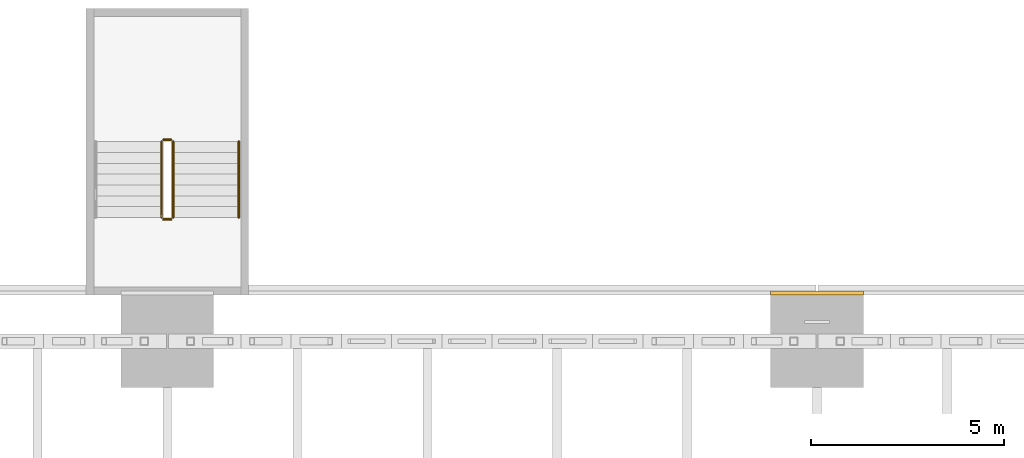
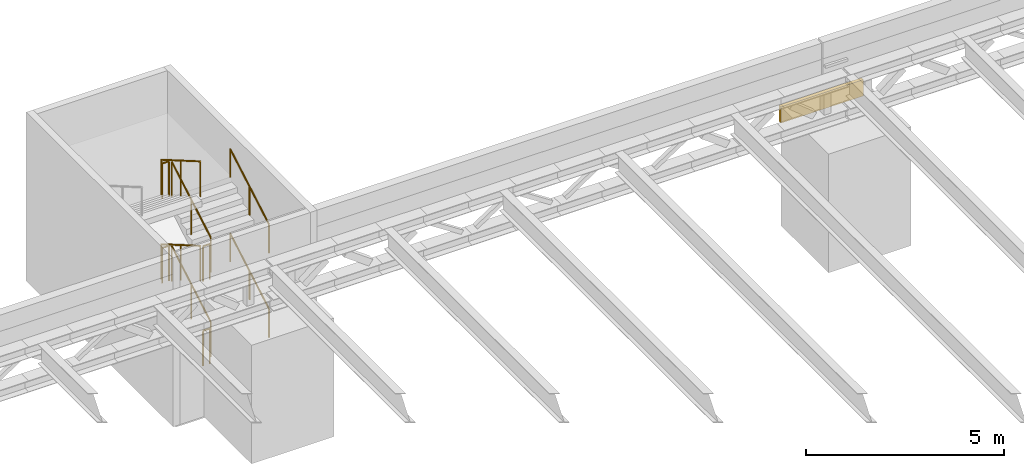
# One storey, part 84 of 93: 10 railings, 1 covering.
"""IFC4 building model written with IfcOpenShell, lengths in metres."""

from ifc_helpers import new_model, si_unit, direction, frame, origin, origin_2d, place, context, subcontext, project, spatial, rectangle, circle, extrude, material, layer, layer_set, type_object, element, save


model = new_model("IFC4")

# Units and contexts
model_context = context("Model", 3, precision=1e-05, world=origin(), true_north=direction((0.0, 1.0)))
body_context = subcontext(model_context, "Body", "Model", "MODEL_VIEW")
ifc_project = project(units=[si_unit("LENGTHUNIT", "METRE"), si_unit("AREAUNIT", "SQUARE_METRE"), si_unit("VOLUMEUNIT", "CUBIC_METRE"), si_unit("PLANEANGLEUNIT", "RADIAN"), si_unit("MASSUNIT", "GRAM", prefix="KILO")], contexts=[model_context])

# Site, building, storey
site_placement = place(None, origin())
site = spatial("IfcSite", under=ifc_project, at=site_placement, CompositionType="ELEMENT")
building_placement = place(site_placement, origin())
building = spatial("IfcBuilding", under=site, at=building_placement, Name="Verrick Yard Athletic Hall", CompositionType="ELEMENT")
storey_placement = place(building_placement, frame((0.0, 0.0, 8.800048828125)))
storey = spatial("IfcBuildingStorey", under=building, at=storey_placement, Name="L02", CompositionType="ELEMENT", Elevation=8.800048828125)

# Covering
ifc_material_1 = material(Name="Limestone cladding", Category="masonry")
ifc_layer = layer(ifc_material_1, 0.10009765625)
ifc_layer_set = layer_set([ifc_layer], Name="Impost and capital moulding")
covering_type = type_object("IfcCoveringType", Name="Impost and capital moulding", PredefinedType="MOLDING", material=ifc_layer_set)
covering_placement = place(storey_placement, frame((124.0, 54.050048828125, 3.14990234375), z_axis=(0.0, 0.0, 1.0), x_axis=(1.0, 0.0, 0.0)))
element("IfcCovering", 1, at=covering_placement, inside=storey, type_object=covering_type, Name="Capital N6", PredefinedType="MOLDING", context=body_context, shape_type="SweptSolid", body=[
    extrude(rectangle(XDim=2.39990234375, YDim=0.10009765625, at=origin_2d()), origin(), (0.0, 0.0, 1.0), 0.5),
])

# Railings
ifc_material_2 = material(Name="Stainless steel", Category="steel")
railing_type_1 = type_object("IfcRailingType", Name="Stair and core guard 1100", PredefinedType="GUARDRAIL", material=ifc_material_2)
railing_1_placement = place(storey_placement, frame((107.35009765625, 56.0, 0.162353515625)))
element("IfcRailing", 2, at=railing_1_placement, inside=storey, type_object=railing_type_1, Name="L02 North deck escape 2 stair guard 1", PredefinedType="GUARDRAIL", context=body_context, shape_type="SweptSolid", body=[
    extrude(circle(Radius=0.02392578125, at=origin_2d()), frame((0.0, 0.0, 1.076171875), z_axis=(0.0, 0.864855337533, 0.502021160053), x_axis=(-1.0, 0.0, 0.0)), (0.0, 0.0, 1.0), 2.26611328125),
    extrude(circle(Radius=0.02099609375, at=origin_2d()), origin(), (0.0, 0.0, 1.0), 1.052001953125),
    extrude(circle(Radius=0.02099609375, at=origin_2d()), frame((0.0, 0.97998046875, 0.56884765625)), (0.0, 0.0, 1.0), 1.052001953125),
    extrude(circle(Radius=0.02099609375, at=origin_2d()), frame((0.0, 1.9599609375, 1.1376953125)), (0.0, 0.0, 1.0), 1.052001953125),
])
railing_2_placement = place(storey_placement, frame((107.300048828125, 58.010009765625, 1.300048828125)))
element("IfcRailing", 3, at=railing_2_placement, inside=storey, type_object=railing_type_1, Name="L02 North deck escape 2 stair guard 2", PredefinedType="GUARDRAIL", context=body_context, shape_type="SweptSolid", body=[
    extrude(circle(Radius=0.02392578125, at=origin_2d()), frame((0.0, 0.0, 1.076171875), z_axis=(-1.0, 0.0, 0.0), x_axis=(0.0, -1.0, 0.0)), (0.0, 0.0, 1.0), 0.199951171875),
    extrude(circle(Radius=0.02099609375, at=origin_2d()), origin(), (0.0, 0.0, 1.0), 1.052001953125),
    extrude(circle(Radius=0.02099609375, at=origin_2d()), frame((-0.199951171875, 0.0, 0.0)), (0.0, 0.0, 1.0), 1.052001953125),
])
railing_3_placement = place(storey_placement, frame((107.050048828125, 57.9599609375, 1.46240234375)))
element("IfcRailing", 4, at=railing_3_placement, inside=storey, type_object=railing_type_1, Name="L02 North deck escape 2 stair guard 3", PredefinedType="GUARDRAIL", context=body_context, shape_type="SweptSolid", body=[
    extrude(circle(Radius=0.02392578125, at=origin_2d()), frame((0.0, 0.0, 1.076171875), z_axis=(0.0, -0.864902109995, 0.501940574298), x_axis=(1.0, 0.0, 0.0)), (0.0, 0.0, 1.0), 2.26611328125),
    extrude(circle(Radius=0.02099609375, at=origin_2d()), origin(), (0.0, 0.0, 1.0), 1.052001953125),
    extrude(circle(Radius=0.02099609375, at=origin_2d()), frame((0.0, -0.97998046875, 0.56884765625)), (0.0, 0.0, 1.0), 1.052001953125),
    extrude(circle(Radius=0.02099609375, at=origin_2d()), frame((0.0, -1.9599609375, 1.137451171875)), (0.0, 0.0, 1.0), 1.052001953125),
])
railing_4_placement = place(storey_placement, frame((107.300048828125, 55.949951171875, 2.599853515625)))
element("IfcRailing", 5, at=railing_4_placement, inside=storey, type_object=railing_type_1, Name="L02 North deck escape 2 stair guard 4", PredefinedType="GUARDRAIL", context=body_context, shape_type="SweptSolid", body=[
    extrude(circle(Radius=0.02392578125, at=origin_2d()), frame((0.0, 0.0, 1.076171875), z_axis=(-1.0, 0.0, 0.0), x_axis=(0.0, -1.0, 0.0)), (0.0, 0.0, 1.0), 0.199951171875),
    extrude(circle(Radius=0.02099609375, at=origin_2d()), origin(), (0.0, 0.0, 1.0), 1.052001953125),
    extrude(circle(Radius=0.02099609375, at=origin_2d()), frame((-0.199951171875, 0.0, 0.0)), (0.0, 0.0, 1.0), 1.052001953125),
])
railing_5_placement = place(storey_placement, frame((107.35009765625, 56.0, 2.762451171875)))
element("IfcRailing", 6, at=railing_5_placement, inside=storey, type_object=railing_type_1, Name="L02 North deck escape 2 stair guard 5", PredefinedType="GUARDRAIL", context=body_context, shape_type="SweptSolid", body=[
    extrude(circle(Radius=0.02392578125, at=origin_2d()), frame((0.0, 0.0, 1.076171875), z_axis=(0.0, 0.864902109995, 0.501940574298), x_axis=(-1.0, 0.0, 0.0)), (0.0, 0.0, 1.0), 2.26611328125),
    extrude(circle(Radius=0.02099609375, at=origin_2d()), origin(), (0.0, 0.0, 1.0), 1.052001953125),
    extrude(circle(Radius=0.02099609375, at=origin_2d()), frame((0.0, 0.97998046875, 0.56884765625)), (0.0, 0.0, 1.0), 1.052001953125),
    extrude(circle(Radius=0.02099609375, at=origin_2d()), frame((0.0, 1.9599609375, 1.137451171875)), (0.0, 0.0, 1.0), 1.052001953125),
])
railing_6_placement = place(storey_placement, frame((107.300048828125, 58.010009765625, 3.89990234375)))
element("IfcRailing", 7, at=railing_6_placement, inside=storey, type_object=railing_type_1, Name="L02 North deck escape 2 stair guard 6", PredefinedType="GUARDRAIL", context=body_context, shape_type="SweptSolid", body=[
    extrude(circle(Radius=0.02392578125, at=origin_2d()), frame((0.0, 0.0, 1.076171875), z_axis=(-1.0, 0.0, 0.0), x_axis=(0.0, -1.0, 0.0)), (0.0, 0.0, 1.0), 0.199951171875),
    extrude(circle(Radius=0.02099609375, at=origin_2d()), origin(), (0.0, 0.0, 1.0), 1.052001953125),
    extrude(circle(Radius=0.02099609375, at=origin_2d()), frame((-0.199951171875, 0.0, 0.0)), (0.0, 0.0, 1.0), 1.052001953125),
])
railing_7_placement = place(storey_placement, frame((107.050048828125, 57.9599609375, 4.0625)))
element("IfcRailing", 8, at=railing_7_placement, inside=storey, type_object=railing_type_1, Name="L02 North deck escape 2 stair guard 7", PredefinedType="GUARDRAIL", context=body_context, shape_type="SweptSolid", body=[
    extrude(circle(Radius=0.02392578125, at=origin_2d()), frame((0.0, 0.0, 1.076171875), z_axis=(0.0, -0.864902109995, 0.501940574298), x_axis=(1.0, 0.0, 0.0)), (0.0, 0.0, 1.0), 2.26611328125),
    extrude(circle(Radius=0.02099609375, at=origin_2d()), origin(), (0.0, 0.0, 1.0), 1.052001953125),
    extrude(circle(Radius=0.02099609375, at=origin_2d()), frame((0.0, -0.97998046875, 0.56884765625)), (0.0, 0.0, 1.0), 1.052001953125),
    extrude(circle(Radius=0.02099609375, at=origin_2d()), frame((0.0, -1.9599609375, 1.137451171875)), (0.0, 0.0, 1.0), 1.052001953125),
])
railing_8_placement = place(storey_placement, frame((107.300048828125, 55.949951171875, 0.0)))
element("IfcRailing", 9, at=railing_8_placement, inside=storey, type_object=railing_type_1, Name="L02 North deck escape 2 stair guard 8", PredefinedType="GUARDRAIL", context=body_context, shape_type="SweptSolid", body=[
    extrude(circle(Radius=0.02392578125, at=origin_2d()), frame((0.0, 0.0, 1.076171875), z_axis=(-1.0, 0.0, 0.0), x_axis=(0.0, -1.0, 0.0)), (0.0, 0.0, 1.0), 0.199951171875),
    extrude(circle(Radius=0.02099609375, at=origin_2d()), origin(), (0.0, 0.0, 1.0), 1.052001953125),
    extrude(circle(Radius=0.02099609375, at=origin_2d()), frame((-0.199951171875, 0.0, 0.0)), (0.0, 0.0, 1.0), 1.052001953125),
])
railing_type_2 = type_object("IfcRailingType", Name="Stair handrail 900", PredefinedType="HANDRAIL", material=ifc_material_2)
railing_9_placement = place(storey_placement, frame((109.050048828125, 56.0, 0.162353515625)))
element("IfcRailing", 10, at=railing_9_placement, inside=storey, type_object=railing_type_2, Name="L02 North deck escape 2 stair handrail 1", PredefinedType="HANDRAIL", context=body_context, shape_type="SweptSolid", body=[
    extrude(circle(Radius=0.02392578125, at=origin_2d()), frame((0.0, 0.0, 0.8759765625), z_axis=(0.0, 0.864855337533, 0.502021160053), x_axis=(-1.0, 0.0, 0.0)), (0.0, 0.0, 1.0), 2.26611328125),
    extrude(circle(Radius=0.02099609375, at=origin_2d()), origin(), (0.0, 0.0, 1.0), 0.851806640625),
    extrude(circle(Radius=0.02099609375, at=origin_2d()), frame((0.0, 0.97998046875, 0.56884765625)), (0.0, 0.0, 1.0), 0.851806640625),
    extrude(circle(Radius=0.02099609375, at=origin_2d()), frame((0.0, 1.9599609375, 1.1376953125)), (0.0, 0.0, 1.0), 0.851806640625),
])
railing_10_placement = place(storey_placement, frame((109.050048828125, 56.0, 2.762451171875)))
element("IfcRailing", 11, at=railing_10_placement, inside=storey, type_object=railing_type_2, Name="L02 North deck escape 2 stair handrail 3", PredefinedType="HANDRAIL", context=body_context, shape_type="SweptSolid", body=[
    extrude(circle(Radius=0.02392578125, at=origin_2d()), frame((0.0, 0.0, 0.8759765625), z_axis=(0.0, 0.864902109995, 0.501940574298), x_axis=(-1.0, 0.0, 0.0)), (0.0, 0.0, 1.0), 2.26611328125),
    extrude(circle(Radius=0.02099609375, at=origin_2d()), origin(), (0.0, 0.0, 1.0), 0.851806640625),
    extrude(circle(Radius=0.02099609375, at=origin_2d()), frame((0.0, 0.97998046875, 0.56884765625)), (0.0, 0.0, 1.0), 0.851806640625),
    extrude(circle(Radius=0.02099609375, at=origin_2d()), frame((0.0, 1.9599609375, 1.137451171875)), (0.0, 0.0, 1.0), 0.851806640625),
])

save(model, "model.ifc")
